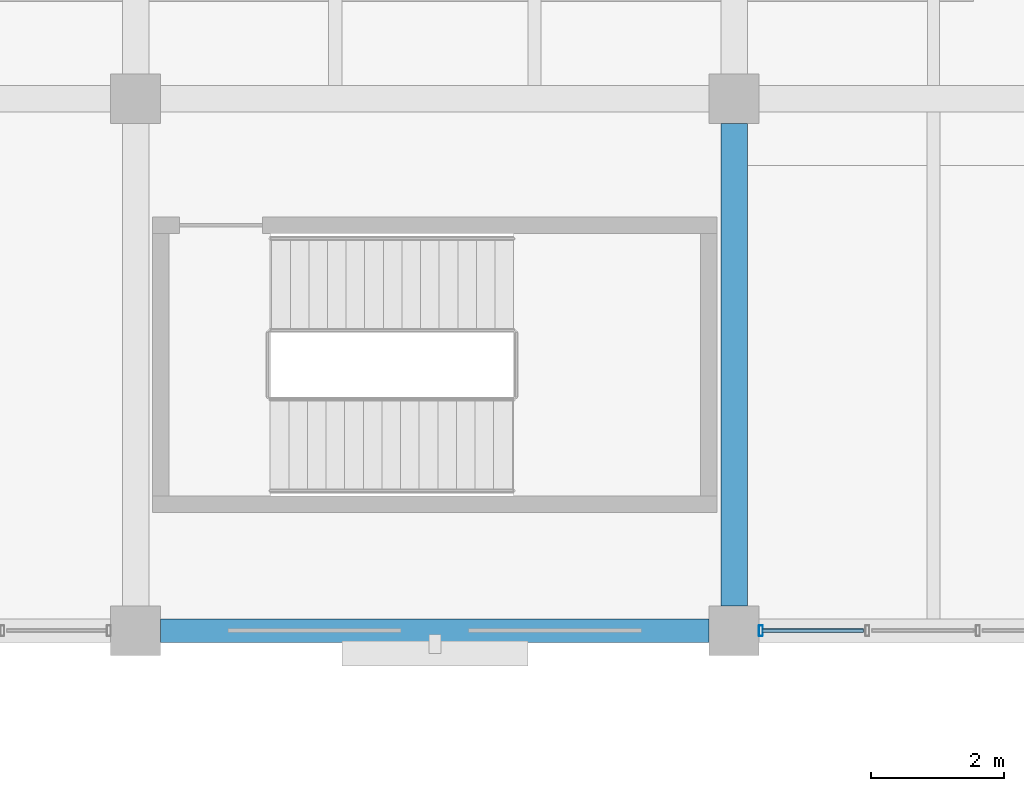
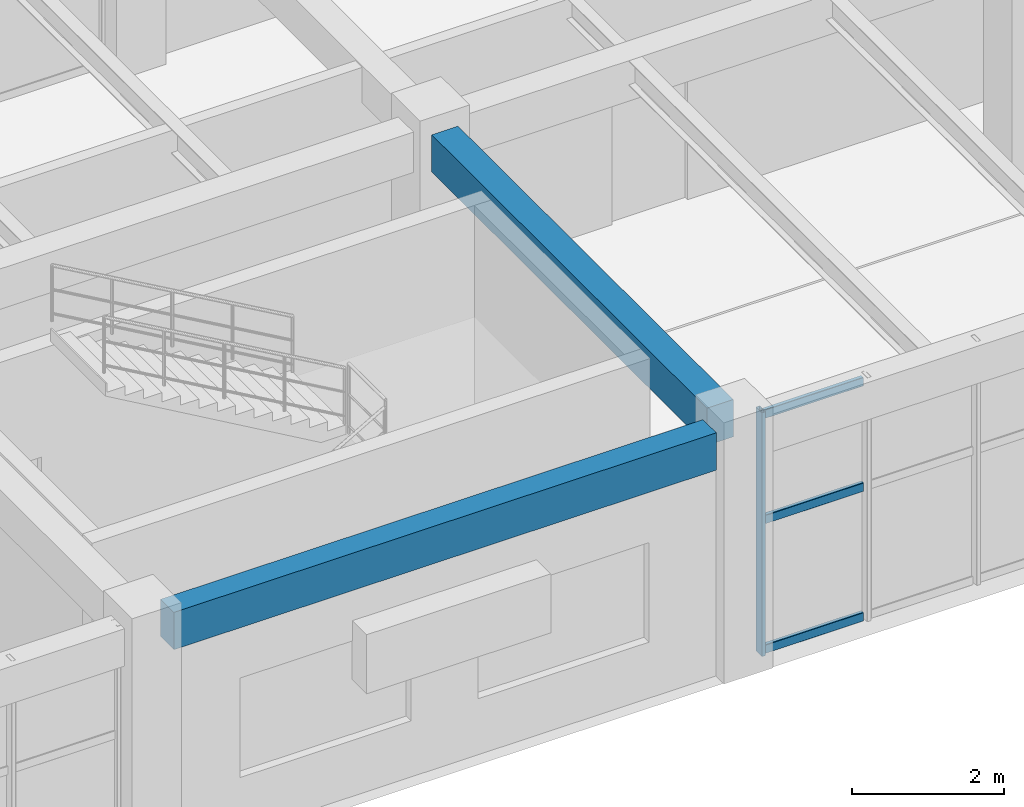
# One storey, part 42 of 148: 4 members, 2 beams, 1 element without a shape of its own.
"""IFC4 building model written with IfcOpenShell, lengths in metres."""

from ifc_helpers import new_model, si_unit, derived_unit, direction, frame, origin, origin_2d, place, context, subcontext, project, spatial, rectangle, hollow_rectangle, extrude, material, material_profile, profile_set, type_object, element, aggregate, save


model = new_model("IFC4")

# Units and contexts
model_context = context("Model", 3, precision=1e-05, world=origin(), true_north=direction((0.0, 1.0)))
body_context = subcontext(model_context, "Body", "Model", "MODEL_VIEW")
ifc_project = project(units=[si_unit("LENGTHUNIT", "METRE"), si_unit("AREAUNIT", "SQUARE_METRE"), si_unit("VOLUMEUNIT", "CUBIC_METRE"), si_unit("PLANEANGLEUNIT", "RADIAN"), si_unit("MASSUNIT", "GRAM", prefix="KILO"), derived_unit("THERMALTRANSMITTANCEUNIT", [(si_unit("MASSUNIT", "GRAM", prefix="KILO"), 1), (si_unit("TIMEUNIT", "SECOND"), -3), (si_unit("THERMODYNAMICTEMPERATUREUNIT", "KELVIN"), -1)])], contexts=[model_context])

# Site, building, storey
site_placement = place(None, origin())
site = spatial("IfcSite", under=ifc_project, at=site_placement, CompositionType="ELEMENT")
building_placement = place(site_placement, origin())
building = spatial("IfcBuilding", under=site, at=building_placement, Name="Zhenchuan Archway Interchange", CompositionType="ELEMENT")
storey_placement = place(building_placement, frame((0.0, 0.0, 10.199951171875)))
storey = spatial("IfcBuildingStorey", under=building, at=storey_placement, Name="L02", CompositionType="ELEMENT", Elevation=10.199951171875)

# Beam
ifc_material_1 = material(Name="Concrete C40", Category="concrete")
ifc_material_profile_1 = material_profile(ifc_material_1, rectangle(XDim=0.39990234375, YDim=0.60009765625, at=origin_2d()), Name="RC 400x600")
ifc_profile_set_1 = profile_set([ifc_material_profile_1], Name="Concrete C40")
beam_type_1 = type_object("IfcBeamType", Name="BM_RC_400x600", PredefinedType="BEAM", material=ifc_profile_set_1)
beam_1_placement = place(storey_placement, frame((126.0, 8.375, 3.6201171875), z_axis=(0.0, 1.0, 0.0), x_axis=(-1.0, 0.0, 0.0)))
element("IfcBeam", 1, at=beam_1_placement, inside=storey, type_object=beam_type_1, Name="Beam 15:B-C (L02)", PredefinedType="BEAM", context=body_context, shape_type="SweptSolid", body=[
    extrude(rectangle(XDim=0.39990234375, YDim=0.60009765625, at=origin_2d()), origin(), (0.0, 0.0, 1.0), 7.25),
])

# Curtain wall, members
ifc_material_2 = material(Name="Anodised Aluminium", Category="aluminium")
curtain_wall_type = type_object("IfcCurtainWallType", Name="CW_UNIT_3", PredefinedType="NOTDEFINED", material=ifc_material_2)
curtain_wall_placement = place(storey_placement, origin())
curtain_wall = element("IfcCurtainWall", 2, at=curtain_wall_placement, inside=storey, type_object=curtain_wall_type, Name="Unitised curtain wall CW:L02:158", PredefinedType="NOTDEFINED")
ifc_material_profile_2 = material_profile(ifc_material_2, hollow_rectangle(XDim=0.06005859375, YDim=0.159912109375, WallThickness=0.00390625, InnerFilletRadius=0.00390625, OuterFilletRadius=0.008056640625, at=origin_2d()), Name="ALU 160x60x4")
ifc_profile_set_2 = profile_set([ifc_material_profile_2], Name="Anodised Aluminium")
member_type_1 = type_object("IfcMemberType", Name="CW_MUL_150", PredefinedType="MULLION", material=ifc_profile_set_2)
member_1_placement = place(storey_placement, frame((126.403076171875, 8.0, 0.0), z_axis=(0.0, 0.0, 1.0), x_axis=(1.0, 0.0, 0.0)))
member_1 = element("IfcMember", 3, at=member_1_placement, type_object=member_type_1, Name="CW:L02:158 mullion 5", PredefinedType="MULLION", context=body_context, shape_type="SweptSolid", body=[
    extrude(hollow_rectangle(XDim=0.06005859375, YDim=0.159912109375, WallThickness=0.00390625, InnerFilletRadius=0.00390625, OuterFilletRadius=0.008056640625, at=origin_2d()), origin(), (0.0, 0.0, 1.0), 3.920166015625),
])
ifc_material_profile_3 = material_profile(ifc_material_2, hollow_rectangle(XDim=0.06005859375, YDim=0.139892578125, WallThickness=0.00341796875, InnerFilletRadius=0.00341796875, OuterFilletRadius=0.007080078125, at=origin_2d()), Name="ALU 140x60x3.5")
ifc_profile_set_3 = profile_set([ifc_material_profile_3], Name="Anodised Aluminium")
member_type_2 = type_object("IfcMemberType", Name="CW_TRN_140", PredefinedType="USERDEFINED", material=ifc_profile_set_3)
member_2_placement = place(storey_placement, frame((127.94580078125, 8.0, 0.06005859375), z_axis=(-1.0, 0.0, 0.0), x_axis=(0.0, -1.0, 0.0)))
member_2 = element("IfcMember", 4, at=member_2_placement, type_object=member_type_2, Name="CW:L02:158 transom 4-1", ObjectType="TRANSOM", PredefinedType="USERDEFINED", context=body_context, shape_type="SweptSolid", body=[
    extrude(hollow_rectangle(XDim=0.06005859375, YDim=0.139892578125, WallThickness=0.00341796875, InnerFilletRadius=0.00341796875, OuterFilletRadius=0.007080078125, at=origin_2d()), origin(), (0.0, 0.0, 1.0), 1.522705078125),
])
member_3_placement = place(storey_placement, frame((127.94580078125, 8.0, 2.14501953125), z_axis=(-1.0, 0.0, 0.0), x_axis=(0.0, -1.0, 0.0)))
member_3 = element("IfcMember", 5, at=member_3_placement, type_object=member_type_2, Name="CW:L02:158 transom 4-2", ObjectType="TRANSOM", PredefinedType="USERDEFINED", context=body_context, shape_type="SweptSolid", body=[
    extrude(hollow_rectangle(XDim=0.06005859375, YDim=0.139892578125, WallThickness=0.00341796875, InnerFilletRadius=0.00341796875, OuterFilletRadius=0.007080078125, at=origin_2d()), origin(), (0.0, 0.0, 1.0), 1.522705078125),
])
member_4_placement = place(storey_placement, frame((127.94580078125, 8.0, 3.840087890625), z_axis=(-1.0, 0.0, 0.0), x_axis=(0.0, -1.0, 0.0)))
member_4 = element("IfcMember", 6, at=member_4_placement, type_object=member_type_2, Name="CW:L02:158 transom 4-3", ObjectType="TRANSOM", PredefinedType="USERDEFINED", context=body_context, shape_type="SweptSolid", body=[
    extrude(hollow_rectangle(XDim=0.06005859375, YDim=0.139892578125, WallThickness=0.00341796875, InnerFilletRadius=0.00341796875, OuterFilletRadius=0.007080078125, at=origin_2d()), origin(), (0.0, 0.0, 1.0), 1.522705078125),
])
aggregate(curtain_wall, [member_1, member_2, member_3, member_4])

# Beam
ifc_material_profile_4 = material_profile(ifc_material_1, rectangle(XDim=0.35009765625, YDim=0.60009765625, at=origin_2d()), Name="RC 350x600")
ifc_profile_set_4 = profile_set([ifc_material_profile_4], Name="Concrete C40")
beam_type_2 = type_object("IfcBeamType", Name="SP_RC_350x600", PredefinedType="SPANDREL", material=ifc_profile_set_4)
beam_2_placement = place(storey_placement, frame((117.375, 8.0, 3.6201171875), z_axis=(1.0, 0.0, 0.0), x_axis=(0.0, 1.0, 0.0)))
element("IfcBeam", 7, at=beam_2_placement, inside=storey, type_object=beam_type_2, Name="Beam B:14-15 (L02)", PredefinedType="SPANDREL", context=body_context, shape_type="SweptSolid", body=[
    extrude(rectangle(XDim=0.35009765625, YDim=0.60009765625, at=origin_2d()), origin(), (0.0, 0.0, 1.0), 8.25),
])

save(model, "model.ifc")
